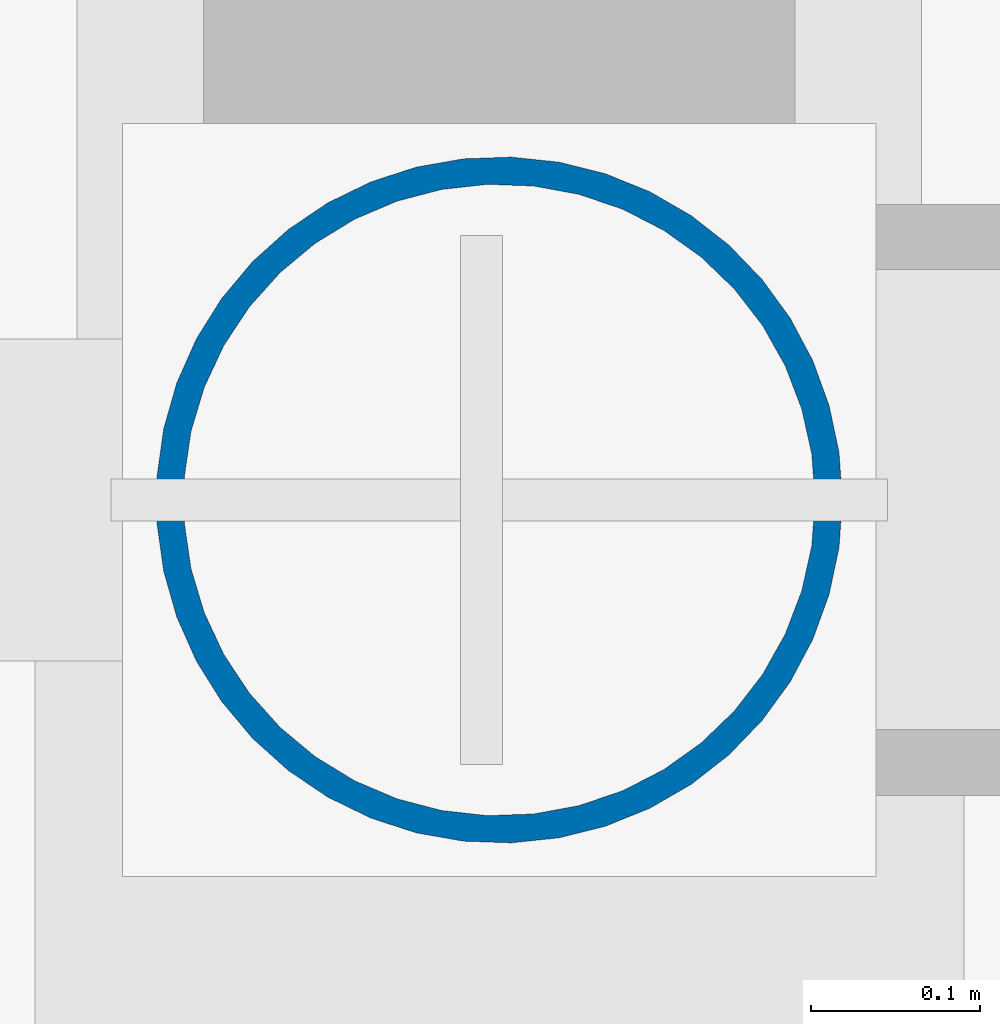
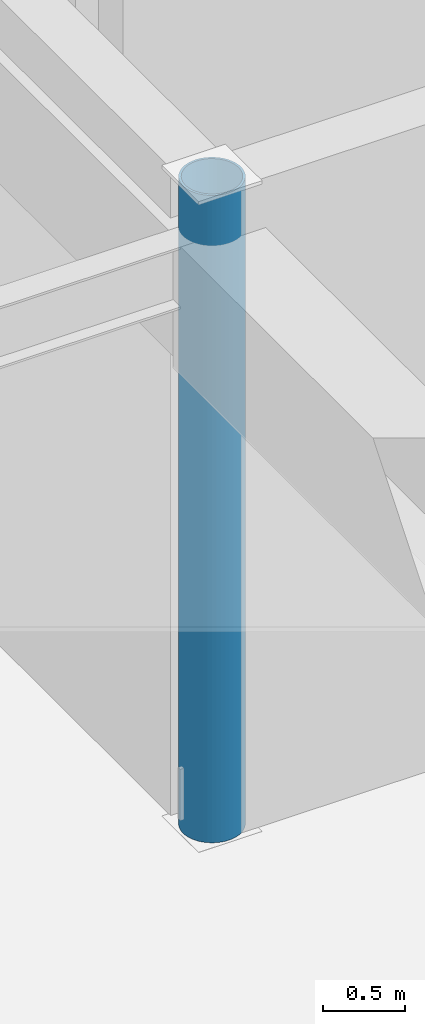
# One storey, part 17 of 226: 1 column.
"""IFC4 building model written with IfcOpenShell, lengths in metres."""

from ifc_helpers import new_model, si_unit, direction, frame, origin, origin_2d, place, context, subcontext, project, spatial, hollow_circle, extrude, material, material_profile, profile_set, type_object, element, save


model = new_model("IFC4")

# Units and contexts
model_context = context("Model", 3, precision=1e-05, world=origin(), true_north=direction((0.0, 1.0)))
body_context = subcontext(model_context, "Body", "Model", "MODEL_VIEW")
ifc_project = project(units=[si_unit("LENGTHUNIT", "METRE"), si_unit("AREAUNIT", "SQUARE_METRE"), si_unit("VOLUMEUNIT", "CUBIC_METRE"), si_unit("PLANEANGLEUNIT", "RADIAN"), si_unit("MASSUNIT", "GRAM", prefix="KILO")], contexts=[model_context])

# Site, building, storey
site_placement = place(None, origin())
site = spatial("IfcSite", under=ifc_project, at=site_placement, CompositionType="ELEMENT")
building_placement = place(site_placement, origin())
building = spatial("IfcBuilding", under=site, at=building_placement, Name="Tarnwether General Hospital", CompositionType="ELEMENT")
storey_placement = place(building_placement, frame((0.0, 0.0, 4.800048828125)))
storey = spatial("IfcBuildingStorey", under=building, at=storey_placement, Name="L01", CompositionType="ELEMENT", Elevation=4.800048828125)

# Column
ifc_material = material(Name="Steel Grade C350L0 (350 MPa)", Category="steel")
ifc_material_profile = material_profile(ifc_material, hollow_circle(Radius=0.203125, WallThickness=0.01611328125, at=origin_2d()), Name="CHS406.4x16.0")
ifc_profile_set = profile_set([ifc_material_profile], Name="Steel Grade C350L0 (350 MPa)")
column_type = type_object("IfcColumnType", Name="COL-10", PredefinedType="COLUMN", material=ifc_profile_set)
column_placement = place(storey_placement, frame((24.0, 69.60009765625, 0.0), z_axis=(0.0, 0.0, 1.0), x_axis=(1.0, 0.0, 0.0)))
element("IfcColumn", 1, at=column_placement, inside=storey, type_object=column_type, Name="Column COLG-L01-2400_6960", PredefinedType="COLUMN", context=body_context, shape_type="SweptSolid", body=[
    extrude(hollow_circle(Radius=0.203125, WallThickness=0.01611328125, at=origin_2d()), origin(), (0.0, 0.0, 1.0), 4.800048828125),
])

save(model, "model.ifc")
